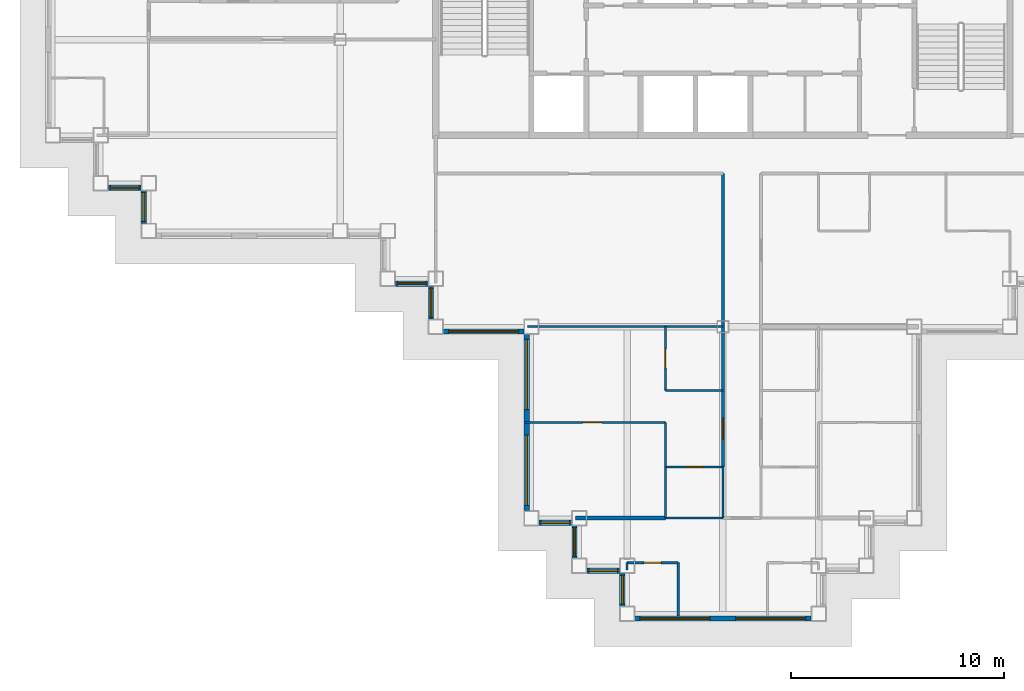
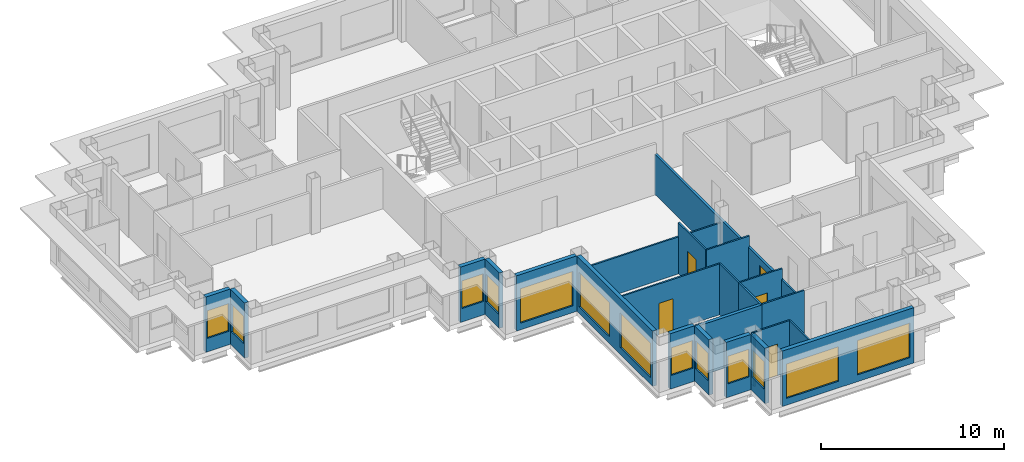
# One storey, part 2 of 12: 25 walls, 13 windows, 5 doors, 18 openings.
"""IFC4 building model written with IfcOpenShell, lengths in metres."""

from ifc_helpers import new_model, si_unit, direction, frame, frame_2d, origin, place, context, subcontext, project, spatial, rectangle, extrude, material, layer, layer_set, type_object, element, fill, save


model = new_model("IFC4")

# Units and contexts
model_context = context("Model", 3, precision=1e-05, world=origin(), true_north=direction((0.0, 1.0)))
body_context = subcontext(model_context, "Body", "Model", "MODEL_VIEW")
ifc_project = project(units=[si_unit("LENGTHUNIT", "METRE"), si_unit("AREAUNIT", "SQUARE_METRE"), si_unit("VOLUMEUNIT", "CUBIC_METRE"), si_unit("PLANEANGLEUNIT", "RADIAN"), si_unit("MASSUNIT", "GRAM", prefix="KILO")], contexts=[model_context])

# Site, building, storey
site_placement = place(None, origin())
site = spatial("IfcSite", under=ifc_project, at=site_placement, CompositionType="ELEMENT")
building_placement = place(site_placement, origin())
building = spatial("IfcBuilding", under=site, at=building_placement, Name="Caravel Reach Hotel and Residences", CompositionType="ELEMENT")
storey_placement = place(building_placement, frame((0.0, 0.0, 196.10009765625)))
storey = spatial("IfcBuildingStorey", under=building, at=storey_placement, Name="L49", CompositionType="ELEMENT", Elevation=196.10009765625)

# Wall, opening, door
ifc_material_1 = material(Name="Gypsum board on steel stud", Category="steel")
ifc_layer_1 = layer(ifc_material_1, 0.10009765625)
ifc_layer_set_1 = layer_set([ifc_layer_1], Name="Bathroom pod wall 100 mm")
wall_type_1 = type_object("IfcWallType", Name="Bathroom pod wall 100 mm", PredefinedType="PARTITIONING", material=ifc_layer_set_1)
wall_1_placement = place(storey_placement, frame((27.0, 2.39990234375, 0.0), z_axis=(0.0, 0.0, 1.0), x_axis=(1.0, 0.0, 0.0)))
wall_1 = element("IfcWall", 1, at=wall_1_placement, inside=storey, type_object=wall_type_1, Name="L49 wall w078", PredefinedType="PARTITIONING", context=body_context, shape_type="SweptSolid", body=[
    extrude(rectangle(XDim=2.39990234375, YDim=0.10009765625, at=frame_2d((1.199951171875, 0.0))), origin(), (0.0, 0.0, 1.0), 3.39990234375),
])
opening_1_placement = place(wall_1_placement, frame((0.800048828125, 0.0, 0.0)))
opening_1 = element("IfcOpeningElement", 2, at=opening_1_placement, cuts=wall_1, Name="Opening D49-050", PredefinedType="OPENING", context=body_context, shape_type="SweptSolid", body=[
    extrude(rectangle(XDim=0.800048828125, YDim=2.10009765625, at=frame_2d((0.39990234375, 1.050048828125))), frame((0.0, 0.06005859375, 0.0), z_axis=(0.0, -1.0, 0.0), x_axis=(1.0, 0.0, 0.0)), (0.0, 0.0, 1.0), 0.1201171875),
])
ifc_material_2 = material(Name="Timber and steel door leaf", Category="steel")
door_type_1 = type_object("IfcDoorType", Name="Bathroom door 800 x 2100", OperationType="SINGLE_SWING_LEFT", PredefinedType="DOOR", material=ifc_material_2)
door_1_placement = place(opening_1_placement, origin())
door_1 = element("IfcDoor", 3, at=door_1_placement, inside=storey, type_object=door_type_1, Name="door D49-050", OperationType="SINGLE_SWING_LEFT", OverallHeight=2.10009765625, OverallWidth=0.800048828125, PredefinedType="DOOR", context=body_context, shape_type="SweptSolid", body=[
    extrude(rectangle(XDim=0.800048828125, YDim=2.10009765625, at=frame_2d((0.39990234375, 1.050048828125))), frame((0.0, 0.02490234375, 0.0), z_axis=(0.0, -1.0, 0.0), x_axis=(1.0, 0.0, 0.0)), (0.0, 0.0, 1.0), 0.050048828125),
])
fill(opening_1, door_1)

# Wall
wall_2_placement = place(storey_placement, frame((28.800048828125, 4.5, 0.0), z_axis=(0.0, 0.0, 1.0), x_axis=(1.0, 0.0, 0.0)))
element("IfcWall", 4, at=wall_2_placement, inside=storey, type_object=wall_type_1, Name="L49 wall w089", PredefinedType="PARTITIONING", context=body_context, shape_type="SweptSolid", body=[
    extrude(rectangle(XDim=2.699951171875, YDim=0.10009765625, at=frame_2d((1.35009765625, 0.0))), origin(), (0.0, 0.0, 1.0), 3.39990234375),
])

# Wall, opening, door
wall_3_placement = place(storey_placement, frame((28.800048828125, 6.89990234375, 0.0), z_axis=(0.0, 0.0, 1.0), x_axis=(1.0, 0.0, 0.0)))
wall_3 = element("IfcWall", 5, at=wall_3_placement, inside=storey, type_object=wall_type_1, Name="L49 wall w091", PredefinedType="PARTITIONING", context=body_context, shape_type="SweptSolid", body=[
    extrude(rectangle(XDim=2.699951171875, YDim=0.10009765625, at=frame_2d((1.35009765625, 0.0))), origin(), (0.0, 0.0, 1.0), 3.39990234375),
])
opening_2_placement = place(wall_3_placement, frame((0.949951171875, 0.0, 0.0)))
opening_2 = element("IfcOpeningElement", 6, at=opening_2_placement, cuts=wall_3, Name="Opening D49-036", PredefinedType="OPENING", context=body_context, shape_type="SweptSolid", body=[
    extrude(rectangle(XDim=0.800048828125, YDim=2.10009765625, at=frame_2d((0.39990234375, 1.050048828125))), frame((0.0, 0.06005859375, 0.0), z_axis=(0.0, -1.0, 0.0), x_axis=(1.0, 0.0, 0.0)), (0.0, 0.0, 1.0), 0.1201171875),
])
door_2_placement = place(opening_2_placement, origin())
door_2 = element("IfcDoor", 7, at=door_2_placement, inside=storey, type_object=door_type_1, Name="door D49-036", OperationType="SINGLE_SWING_RIGHT", OverallHeight=2.10009765625, OverallWidth=0.800048828125, PredefinedType="DOOR", context=body_context, shape_type="SweptSolid", body=[
    extrude(rectangle(XDim=0.800048828125, YDim=2.10009765625, at=frame_2d((0.39990234375, 1.050048828125))), frame((0.0, 0.02490234375, 0.0), z_axis=(0.0, -1.0, 0.0), x_axis=(1.0, 0.0, 0.0)), (0.0, 0.0, 1.0), 0.050048828125),
])
fill(opening_2, door_2)

# Walls
wall_4_placement = place(storey_placement, frame((27.0, 2.06005859375, 0.0), z_axis=(0.0, 0.0, 1.0), x_axis=(0.0, 1.0, 0.0)))
element("IfcWall", 8, at=wall_4_placement, inside=storey, type_object=wall_type_1, Name="L49 wall w093", PredefinedType="PARTITIONING", context=body_context, shape_type="SweptSolid", body=[
    extrude(rectangle(XDim=0.33984375, YDim=0.10009765625, at=frame_2d((0.169921875, 0.0))), origin(), (0.0, 0.0, 1.0), 3.39990234375),
])
wall_5_placement = place(storey_placement, frame((28.800048828125, 4.5, 0.0), z_axis=(0.0, 0.0, 1.0), x_axis=(0.0, 1.0, 0.0)))
element("IfcWall", 9, at=wall_5_placement, inside=storey, type_object=wall_type_1, Name="L49 wall w094", PredefinedType="PARTITIONING", context=body_context, shape_type="SweptSolid", body=[
    extrude(rectangle(XDim=2.39990234375, YDim=0.10009765625, at=frame_2d((1.199951171875, 0.0))), origin(), (0.0, 0.0, 1.0), 3.39990234375),
])
wall_6_placement = place(storey_placement, frame((29.39990234375, -0.10009765625, 0.0), z_axis=(0.0, 0.0, 1.0), x_axis=(0.0, 1.0, 0.0)))
element("IfcWall", 10, at=wall_6_placement, inside=storey, type_object=wall_type_1, Name="L49 wall w095", PredefinedType="PARTITIONING", context=body_context, shape_type="SweptSolid", body=[
    extrude(rectangle(XDim=2.5, YDim=0.10009765625, at=frame_2d((1.25, 0.0))), origin(), (0.0, 0.0, 1.0), 3.39990234375),
])
wall_7_placement = place(storey_placement, frame((31.5, 4.5, 0.0), z_axis=(0.0, 0.0, 1.0), x_axis=(0.0, 1.0, 0.0)))
element("IfcWall", 11, at=wall_7_placement, inside=storey, type_object=wall_type_1, Name="L49 wall w096", PredefinedType="PARTITIONING", context=body_context, shape_type="SweptSolid", body=[
    extrude(rectangle(XDim=2.39990234375, YDim=0.10009765625, at=frame_2d((1.199951171875, 0.0))), origin(), (0.0, 0.0, 1.0), 2.679931640625),
])

# Wall, opening, door
ifc_material_3 = material(Name="Gypsum board on steel stud, fire-rated", Category="steel")
ifc_layer_2 = layer(ifc_material_3, 0.14990234375)
ifc_layer_set_2 = layer_set([ifc_layer_2], Name="Corridor wall 150 mm EI 60")
wall_type_2 = type_object("IfcWallType", Name="Corridor wall 150 mm EI 60", PredefinedType="PARTITIONING", material=ifc_layer_set_2)
wall_8_placement = place(storey_placement, frame((31.5, 6.89990234375, 0.0), z_axis=(0.0, 0.0, 1.0), x_axis=(0.0, 1.0, 0.0)))
wall_8 = element("IfcWall", 12, at=wall_8_placement, inside=storey, type_object=wall_type_2, Name="L49 wall w020", PredefinedType="PARTITIONING", context=body_context, shape_type="SweptSolid", body=[
    extrude(rectangle(XDim=13.800048828125, YDim=0.14990234375, at=frame_2d((6.89990234375, 0.0))), origin(), (0.0, 0.0, 1.0), 2.679931640625),
])
opening_3_placement = place(wall_8_placement, frame((1.300048828125, 0.0, 0.0)))
opening_3 = element("IfcOpeningElement", 13, at=opening_3_placement, cuts=wall_8, Name="Opening D49-035", PredefinedType="OPENING", context=body_context, shape_type="SweptSolid", body=[
    extrude(rectangle(XDim=1.0, YDim=2.199951171875, at=frame_2d((0.5, 1.10009765625))), frame((0.0, 0.0849609375, 0.0), z_axis=(0.0, -1.0, 0.0), x_axis=(1.0, 0.0, 0.0)), (0.0, 0.0, 1.0), 0.169921875),
])
ifc_material_4 = material(Name="Steel fire door leaf", Category="steel")
door_type_2 = type_object("IfcDoorType", Name="Flat entrance door 1000 x 2200 EI 60", OperationType="SINGLE_SWING_LEFT", PredefinedType="DOOR", material=ifc_material_4)
door_3_placement = place(opening_3_placement, origin())
door_3 = element("IfcDoor", 14, at=door_3_placement, inside=storey, type_object=door_type_2, Name="door D49-035", OperationType="SINGLE_SWING_RIGHT", OverallHeight=2.199951171875, OverallWidth=1.0, PredefinedType="DOOR", context=body_context, shape_type="SweptSolid", body=[
    extrude(rectangle(XDim=1.0, YDim=2.199951171875, at=frame_2d((0.5, 1.10009765625))), frame((0.0, 0.02490234375, 0.0), z_axis=(0.0, -1.0, 0.0), x_axis=(1.0, 0.0, 0.0)), (0.0, 0.0, 1.0), 0.050048828125),
])
fill(opening_3, door_3)

# Wall, opening, window
ifc_material_5 = material(Name="Insulated rainscreen wall, aluminium cladding", Category="aluminium")
ifc_layer_3 = layer(ifc_material_5, 0.25)
ifc_layer_set_3 = layer_set([ifc_layer_3], Name="EW1 Tower rainscreen wall")
wall_type_3 = type_object("IfcWallType", Name="EW1 Tower rainscreen wall", PredefinedType="SOLIDWALL", material=ifc_layer_set_3)
wall_9_placement = place(storey_placement, frame((2.60009765625, 20.02490234375, 0.0), z_axis=(0.0, 0.0, 1.0), x_axis=(1.0, 0.0, 0.0)))
wall_9 = element("IfcWall", 15, at=wall_9_placement, inside=storey, type_object=wall_type_3, Name="External wall L49 S23.1", PredefinedType="SOLIDWALL", context=body_context, shape_type="SweptSolid", body=[
    extrude(rectangle(XDim=1.5498046875, YDim=0.25, at=frame_2d((0.77490234375, 0.0))), origin(), (0.0, 0.0, 1.0), 3.699951171875),
])
opening_4_placement = place(wall_9_placement, frame((0.10009765625, 0.0, 0.89990234375)))
opening_4 = element("IfcOpeningElement", 16, at=opening_4_placement, cuts=wall_9, Name="Opening WN21", PredefinedType="OPENING", context=body_context, shape_type="SweptSolid", body=[
    extrude(rectangle(XDim=1.35009765625, YDim=1.85009765625, at=frame_2d((0.675048828125, 0.925048828125))), frame((0.0, 0.135009765625, 0.0), z_axis=(0.0, -1.0, 0.0), x_axis=(1.0, 0.0, 0.0)), (0.0, 0.0, 1.0), 0.27001953125),
])
ifc_material_6 = material(Name="Dark low-e glazing in black aluminium frame", Category="aluminium")
window_type_1 = type_object("IfcWindowType", Name="Residence bedroom window 1350 x 1850", PartitioningType="SINGLE_PANEL", PredefinedType="WINDOW", material=ifc_material_6)
window_1_placement = place(opening_4_placement, origin())
window_1 = element("IfcWindow", 17, at=window_1_placement, inside=storey, type_object=window_type_1, Name="Window L49 S23.1.1", OverallHeight=1.85009765625, OverallWidth=1.35009765625, PartitioningType="SINGLE_PANEL", PredefinedType="WINDOW", context=body_context, shape_type="SweptSolid", body=[
    extrude(rectangle(XDim=1.35009765625, YDim=1.85009765625, at=frame_2d((0.675048828125, 0.925048828125))), frame((0.0, 0.030029296875, 0.0), z_axis=(0.0, -1.0, 0.0), x_axis=(1.0, 0.0, 0.0)), (0.0, 0.0, 1.0), 0.06005859375),
])
fill(opening_4, window_1)

wall_10_placement = place(storey_placement, frame((4.27490234375, 19.89990234375, 0.0), z_axis=(0.0, 0.0, 1.0), x_axis=(0.0, -1.0, 0.0)))
wall_10 = element("IfcWall", 18, at=wall_10_placement, inside=storey, type_object=wall_type_3, Name="External wall L49 W24.1", PredefinedType="SOLIDWALL", context=body_context, shape_type="SweptSolid", body=[
    extrude(rectangle(XDim=1.5498046875, YDim=0.25, at=frame_2d((0.77490234375, 0.0))), origin(), (0.0, 0.0, 1.0), 3.699951171875),
])
opening_5_placement = place(wall_10_placement, frame((0.10009765625, 0.0, 0.89990234375)))
opening_5 = element("IfcOpeningElement", 19, at=opening_5_placement, cuts=wall_10, Name="Opening WN21", PredefinedType="OPENING", context=body_context, shape_type="SweptSolid", body=[
    extrude(rectangle(XDim=1.35009765625, YDim=1.85009765625, at=frame_2d((0.675048828125, 0.925048828125))), frame((0.0, 0.135009765625, 0.0), z_axis=(0.0, -1.0, 0.0), x_axis=(1.0, 0.0, 0.0)), (0.0, 0.0, 1.0), 0.27001953125),
])
window_2_placement = place(opening_5_placement, origin())
window_2 = element("IfcWindow", 20, at=window_2_placement, inside=storey, type_object=window_type_1, Name="Window L49 W24.1.1", OverallHeight=1.85009765625, OverallWidth=1.35009765625, PartitioningType="SINGLE_PANEL", PredefinedType="WINDOW", context=body_context, shape_type="SweptSolid", body=[
    extrude(rectangle(XDim=1.35009765625, YDim=1.85009765625, at=frame_2d((0.675048828125, 0.925048828125))), frame((0.0, 0.030029296875, 0.0), z_axis=(0.0, -1.0, 0.0), x_axis=(1.0, 0.0, 0.0)), (0.0, 0.0, 1.0), 0.06005859375),
])
fill(opening_5, window_2)

wall_11_placement = place(storey_placement, frame((16.10009765625, 15.52490234375, 0.0), z_axis=(0.0, 0.0, 1.0), x_axis=(1.0, 0.0, 0.0)))
wall_11 = element("IfcWall", 21, at=wall_11_placement, inside=storey, type_object=wall_type_3, Name="External wall L49 S27.1", PredefinedType="SOLIDWALL", context=body_context, shape_type="SweptSolid", body=[
    extrude(rectangle(XDim=1.5498046875, YDim=0.25, at=frame_2d((0.77490234375, 0.0))), origin(), (0.0, 0.0, 1.0), 3.699951171875),
])
opening_6_placement = place(wall_11_placement, frame((0.10009765625, 0.0, 0.89990234375)))
opening_6 = element("IfcOpeningElement", 22, at=opening_6_placement, cuts=wall_11, Name="Opening WN21", PredefinedType="OPENING", context=body_context, shape_type="SweptSolid", body=[
    extrude(rectangle(XDim=1.35009765625, YDim=1.85009765625, at=frame_2d((0.675048828125, 0.925048828125))), frame((0.0, 0.135009765625, 0.0), z_axis=(0.0, -1.0, 0.0), x_axis=(1.0, 0.0, 0.0)), (0.0, 0.0, 1.0), 0.27001953125),
])
window_3_placement = place(opening_6_placement, origin())
window_3 = element("IfcWindow", 23, at=window_3_placement, inside=storey, type_object=window_type_1, Name="Window L49 S27.1.1", OverallHeight=1.85009765625, OverallWidth=1.35009765625, PartitioningType="SINGLE_PANEL", PredefinedType="WINDOW", context=body_context, shape_type="SweptSolid", body=[
    extrude(rectangle(XDim=1.35009765625, YDim=1.85009765625, at=frame_2d((0.675048828125, 0.925048828125))), frame((0.0, 0.030029296875, 0.0), z_axis=(0.0, -1.0, 0.0), x_axis=(1.0, 0.0, 0.0)), (0.0, 0.0, 1.0), 0.06005859375),
])
fill(opening_6, window_3)

wall_12_placement = place(storey_placement, frame((17.77490234375, 15.39990234375, 0.0), z_axis=(0.0, 0.0, 1.0), x_axis=(0.0, -1.0, 0.0)))
wall_12 = element("IfcWall", 24, at=wall_12_placement, inside=storey, type_object=wall_type_3, Name="External wall L49 W28.1", PredefinedType="SOLIDWALL", context=body_context, shape_type="SweptSolid", body=[
    extrude(rectangle(XDim=1.5498046875, YDim=0.25, at=frame_2d((0.77490234375, 0.0))), origin(), (0.0, 0.0, 1.0), 3.699951171875),
])
opening_7_placement = place(wall_12_placement, frame((0.10009765625, 0.0, 0.89990234375)))
opening_7 = element("IfcOpeningElement", 25, at=opening_7_placement, cuts=wall_12, Name="Opening WN21", PredefinedType="OPENING", context=body_context, shape_type="SweptSolid", body=[
    extrude(rectangle(XDim=1.35009765625, YDim=1.85009765625, at=frame_2d((0.675048828125, 0.925048828125))), frame((0.0, 0.135009765625, 0.0), z_axis=(0.0, -1.0, 0.0), x_axis=(1.0, 0.0, 0.0)), (0.0, 0.0, 1.0), 0.27001953125),
])
window_4_placement = place(opening_7_placement, origin())
window_4 = element("IfcWindow", 26, at=window_4_placement, inside=storey, type_object=window_type_1, Name="Window L49 W28.1.1", OverallHeight=1.85009765625, OverallWidth=1.35009765625, PartitioningType="SINGLE_PANEL", PredefinedType="WINDOW", context=body_context, shape_type="SweptSolid", body=[
    extrude(rectangle(XDim=1.35009765625, YDim=1.85009765625, at=frame_2d((0.675048828125, 0.925048828125))), frame((0.0, 0.030029296875, 0.0), z_axis=(0.0, -1.0, 0.0), x_axis=(1.0, 0.0, 0.0)), (0.0, 0.0, 1.0), 0.06005859375),
])
fill(opening_7, window_4)

wall_13_placement = place(storey_placement, frame((18.35009765625, 13.27490234375, 0.0), z_axis=(0.0, 0.0, 1.0), x_axis=(1.0, 0.0, 0.0)))
wall_13 = element("IfcWall", 27, at=wall_13_placement, inside=storey, type_object=wall_type_3, Name="External wall L49 S29.1", PredefinedType="SOLIDWALL", context=body_context, shape_type="SweptSolid", body=[
    extrude(rectangle(XDim=3.7998046875, YDim=0.25, at=frame_2d((1.89990234375, 0.0))), origin(), (0.0, 0.0, 1.0), 3.699951171875),
])
opening_8_placement = place(wall_13_placement, frame((0.25, 0.0, 0.449951171875)))
opening_8 = element("IfcOpeningElement", 28, at=opening_8_placement, cuts=wall_13, Name="Opening WN15", PredefinedType="OPENING", context=body_context, shape_type="SweptSolid", body=[
    extrude(rectangle(XDim=3.300048828125, YDim=2.300048828125, at=frame_2d((1.64990234375, 1.14990234375))), frame((0.0, 0.135009765625, 0.0), z_axis=(0.0, -1.0, 0.0), x_axis=(1.0, 0.0, 0.0)), (0.0, 0.0, 1.0), 0.27001953125),
])
ifc_material_7 = material(Name="Dark low-e glazing in black aluminium frame", Category="aluminium")
window_type_2 = type_object("IfcWindowType", Name="Residence living window 3300 x 2300", PartitioningType="SINGLE_PANEL", PredefinedType="WINDOW", material=ifc_material_7)
window_5_placement = place(opening_8_placement, origin())
window_5 = element("IfcWindow", 29, at=window_5_placement, inside=storey, type_object=window_type_2, Name="Window L49 S29.1.1", OverallHeight=2.300048828125, OverallWidth=3.300048828125, PartitioningType="SINGLE_PANEL", PredefinedType="WINDOW", context=body_context, shape_type="SweptSolid", body=[
    extrude(rectangle(XDim=3.300048828125, YDim=2.300048828125, at=frame_2d((1.64990234375, 1.14990234375))), frame((0.0, 0.030029296875, 0.0), z_axis=(0.0, -1.0, 0.0), x_axis=(1.0, 0.0, 0.0)), (0.0, 0.0, 1.0), 0.06005859375),
])
fill(opening_8, window_5)

# Wall, openings, windows
wall_14_placement = place(storey_placement, frame((22.27490234375, 13.14990234375, 0.0), z_axis=(0.0, 0.0, 1.0), x_axis=(0.0, -1.0, 0.0)))
wall_14 = element("IfcWall", 30, at=wall_14_placement, inside=storey, type_object=wall_type_3, Name="External wall L49 W30.1", PredefinedType="SOLIDWALL", context=body_context, shape_type="SweptSolid", body=[
    extrude(rectangle(XDim=8.2998046875, YDim=0.25, at=frame_2d((4.14990234375, 0.0))), origin(), (0.0, 0.0, 1.0), 3.699951171875),
])
opening_9_placement = place(wall_14_placement, frame((0.25, 0.0, 0.449951171875)))
opening_9 = element("IfcOpeningElement", 31, at=opening_9_placement, cuts=wall_14, Name="Opening WN15", PredefinedType="OPENING", context=body_context, shape_type="SweptSolid", body=[
    extrude(rectangle(XDim=3.300048828125, YDim=2.300048828125, at=frame_2d((1.64990234375, 1.14990234375))), frame((0.0, 0.135009765625, 0.0), z_axis=(0.0, -1.0, 0.0), x_axis=(1.0, 0.0, 0.0)), (0.0, 0.0, 1.0), 0.27001953125),
])
opening_10_placement = place(wall_14_placement, frame((4.75, 0.0, 0.449951171875)))
opening_10 = element("IfcOpeningElement", 32, at=opening_10_placement, cuts=wall_14, Name="Opening WN15", PredefinedType="OPENING", context=body_context, shape_type="SweptSolid", body=[
    extrude(rectangle(XDim=3.300048828125, YDim=2.300048828125, at=frame_2d((1.64990234375, 1.14990234375))), frame((0.0, 0.135009765625, 0.0), z_axis=(0.0, -1.0, 0.0), x_axis=(1.0, 0.0, 0.0)), (0.0, 0.0, 1.0), 0.27001953125),
])
window_6_placement = place(opening_9_placement, origin())
window_6 = element("IfcWindow", 33, at=window_6_placement, inside=storey, type_object=window_type_2, Name="Window L49 W30.1.1", OverallHeight=2.300048828125, OverallWidth=3.300048828125, PartitioningType="SINGLE_PANEL", PredefinedType="WINDOW", context=body_context, shape_type="SweptSolid", body=[
    extrude(rectangle(XDim=3.300048828125, YDim=2.300048828125, at=frame_2d((1.64990234375, 1.14990234375))), frame((0.0, 0.030029296875, 0.0), z_axis=(0.0, -1.0, 0.0), x_axis=(1.0, 0.0, 0.0)), (0.0, 0.0, 1.0), 0.06005859375),
])
fill(opening_9, window_6)
window_7_placement = place(opening_10_placement, origin())
window_7 = element("IfcWindow", 34, at=window_7_placement, inside=storey, type_object=window_type_2, Name="Window L49 W30.1.2", OverallHeight=2.300048828125, OverallWidth=3.300048828125, PartitioningType="SINGLE_PANEL", PredefinedType="WINDOW", context=body_context, shape_type="SweptSolid", body=[
    extrude(rectangle(XDim=3.300048828125, YDim=2.300048828125, at=frame_2d((1.64990234375, 1.14990234375))), frame((0.0, 0.030029296875, 0.0), z_axis=(0.0, -1.0, 0.0), x_axis=(1.0, 0.0, 0.0)), (0.0, 0.0, 1.0), 0.06005859375),
])
fill(opening_10, window_7)

# Wall, opening, window
wall_15_placement = place(storey_placement, frame((22.85009765625, 4.27490234375, 0.0), z_axis=(0.0, 0.0, 1.0), x_axis=(1.0, 0.0, 0.0)))
wall_15 = element("IfcWall", 35, at=wall_15_placement, inside=storey, type_object=wall_type_3, Name="External wall L49 S31.1", PredefinedType="SOLIDWALL", context=body_context, shape_type="SweptSolid", body=[
    extrude(rectangle(XDim=1.5498046875, YDim=0.25, at=frame_2d((0.77490234375, 0.0))), origin(), (0.0, 0.0, 1.0), 3.699951171875),
])
opening_11_placement = place(wall_15_placement, frame((0.10009765625, 0.0, 0.89990234375)))
opening_11 = element("IfcOpeningElement", 36, at=opening_11_placement, cuts=wall_15, Name="Opening WN21", PredefinedType="OPENING", context=body_context, shape_type="SweptSolid", body=[
    extrude(rectangle(XDim=1.35009765625, YDim=1.85009765625, at=frame_2d((0.675048828125, 0.925048828125))), frame((0.0, 0.135009765625, 0.0), z_axis=(0.0, -1.0, 0.0), x_axis=(1.0, 0.0, 0.0)), (0.0, 0.0, 1.0), 0.27001953125),
])
window_8_placement = place(opening_11_placement, origin())
window_8 = element("IfcWindow", 37, at=window_8_placement, inside=storey, type_object=window_type_1, Name="Window L49 S31.1.1", OverallHeight=1.85009765625, OverallWidth=1.35009765625, PartitioningType="SINGLE_PANEL", PredefinedType="WINDOW", context=body_context, shape_type="SweptSolid", body=[
    extrude(rectangle(XDim=1.35009765625, YDim=1.85009765625, at=frame_2d((0.675048828125, 0.925048828125))), frame((0.0, 0.030029296875, 0.0), z_axis=(0.0, -1.0, 0.0), x_axis=(1.0, 0.0, 0.0)), (0.0, 0.0, 1.0), 0.06005859375),
])
fill(opening_11, window_8)

wall_16_placement = place(storey_placement, frame((24.52490234375, 4.14990234375, 0.0), z_axis=(0.0, 0.0, 1.0), x_axis=(0.0, -1.0, 0.0)))
wall_16 = element("IfcWall", 38, at=wall_16_placement, inside=storey, type_object=wall_type_3, Name="External wall L49 W32.1", PredefinedType="SOLIDWALL", context=body_context, shape_type="SweptSolid", body=[
    extrude(rectangle(XDim=1.5498046875, YDim=0.25, at=frame_2d((0.77490234375, 0.0))), origin(), (0.0, 0.0, 1.0), 3.699951171875),
])
opening_12_placement = place(wall_16_placement, frame((0.10009765625, 0.0, 0.89990234375)))
opening_12 = element("IfcOpeningElement", 39, at=opening_12_placement, cuts=wall_16, Name="Opening WN21", PredefinedType="OPENING", context=body_context, shape_type="SweptSolid", body=[
    extrude(rectangle(XDim=1.35009765625, YDim=1.85009765625, at=frame_2d((0.675048828125, 0.925048828125))), frame((0.0, 0.135009765625, 0.0), z_axis=(0.0, -1.0, 0.0), x_axis=(1.0, 0.0, 0.0)), (0.0, 0.0, 1.0), 0.27001953125),
])
window_9_placement = place(opening_12_placement, origin())
window_9 = element("IfcWindow", 40, at=window_9_placement, inside=storey, type_object=window_type_1, Name="Window L49 W32.1.1", OverallHeight=1.85009765625, OverallWidth=1.35009765625, PartitioningType="SINGLE_PANEL", PredefinedType="WINDOW", context=body_context, shape_type="SweptSolid", body=[
    extrude(rectangle(XDim=1.35009765625, YDim=1.85009765625, at=frame_2d((0.675048828125, 0.925048828125))), frame((0.0, 0.030029296875, 0.0), z_axis=(0.0, -1.0, 0.0), x_axis=(1.0, 0.0, 0.0)), (0.0, 0.0, 1.0), 0.06005859375),
])
fill(opening_12, window_9)

wall_17_placement = place(storey_placement, frame((25.10009765625, 2.02490234375, 0.0), z_axis=(0.0, 0.0, 1.0), x_axis=(1.0, 0.0, 0.0)))
wall_17 = element("IfcWall", 41, at=wall_17_placement, inside=storey, type_object=wall_type_3, Name="External wall L49 S33.1", PredefinedType="SOLIDWALL", context=body_context, shape_type="SweptSolid", body=[
    extrude(rectangle(XDim=1.5498046875, YDim=0.25, at=frame_2d((0.77490234375, 0.0))), origin(), (0.0, 0.0, 1.0), 3.699951171875),
])
opening_13_placement = place(wall_17_placement, frame((0.10009765625, 0.0, 0.89990234375)))
opening_13 = element("IfcOpeningElement", 42, at=opening_13_placement, cuts=wall_17, Name="Opening WN21", PredefinedType="OPENING", context=body_context, shape_type="SweptSolid", body=[
    extrude(rectangle(XDim=1.35009765625, YDim=1.85009765625, at=frame_2d((0.675048828125, 0.925048828125))), frame((0.0, 0.135009765625, 0.0), z_axis=(0.0, -1.0, 0.0), x_axis=(1.0, 0.0, 0.0)), (0.0, 0.0, 1.0), 0.27001953125),
])
window_10_placement = place(opening_13_placement, origin())
window_10 = element("IfcWindow", 43, at=window_10_placement, inside=storey, type_object=window_type_1, Name="Window L49 S33.1.1", OverallHeight=1.85009765625, OverallWidth=1.35009765625, PartitioningType="SINGLE_PANEL", PredefinedType="WINDOW", context=body_context, shape_type="SweptSolid", body=[
    extrude(rectangle(XDim=1.35009765625, YDim=1.85009765625, at=frame_2d((0.675048828125, 0.925048828125))), frame((0.0, 0.030029296875, 0.0), z_axis=(0.0, -1.0, 0.0), x_axis=(1.0, 0.0, 0.0)), (0.0, 0.0, 1.0), 0.06005859375),
])
fill(opening_13, window_10)

wall_18_placement = place(storey_placement, frame((26.77490234375, 1.89990234375, 0.0), z_axis=(0.0, 0.0, 1.0), x_axis=(0.0, -1.0, 0.0)))
wall_18 = element("IfcWall", 44, at=wall_18_placement, inside=storey, type_object=wall_type_3, Name="External wall L49 W34.1", PredefinedType="SOLIDWALL", context=body_context, shape_type="SweptSolid", body=[
    extrude(rectangle(XDim=1.5498046875, YDim=0.25, at=frame_2d((0.77490234375, 0.0))), origin(), (0.0, 0.0, 1.0), 3.699951171875),
])
opening_14_placement = place(wall_18_placement, frame((0.10009765625, 0.0, 0.89990234375)))
opening_14 = element("IfcOpeningElement", 45, at=opening_14_placement, cuts=wall_18, Name="Opening WN21", PredefinedType="OPENING", context=body_context, shape_type="SweptSolid", body=[
    extrude(rectangle(XDim=1.35009765625, YDim=1.85009765625, at=frame_2d((0.675048828125, 0.925048828125))), frame((0.0, 0.135009765625, 0.0), z_axis=(0.0, -1.0, 0.0), x_axis=(1.0, 0.0, 0.0)), (0.0, 0.0, 1.0), 0.27001953125),
])
window_11_placement = place(opening_14_placement, origin())
window_11 = element("IfcWindow", 46, at=window_11_placement, inside=storey, type_object=window_type_1, Name="Window L49 W34.1.1", OverallHeight=1.85009765625, OverallWidth=1.35009765625, PartitioningType="SINGLE_PANEL", PredefinedType="WINDOW", context=body_context, shape_type="SweptSolid", body=[
    extrude(rectangle(XDim=1.35009765625, YDim=1.85009765625, at=frame_2d((0.675048828125, 0.925048828125))), frame((0.0, 0.030029296875, 0.0), z_axis=(0.0, -1.0, 0.0), x_axis=(1.0, 0.0, 0.0)), (0.0, 0.0, 1.0), 0.06005859375),
])
fill(opening_14, window_11)

# Wall, openings, windows
wall_19_placement = place(storey_placement, frame((27.35009765625, -0.22509765625, 0.0), z_axis=(0.0, 0.0, 1.0), x_axis=(1.0, 0.0, 0.0)))
wall_19 = element("IfcWall", 47, at=wall_19_placement, inside=storey, type_object=wall_type_3, Name="External wall L49 S35.1", PredefinedType="SOLIDWALL", context=body_context, shape_type="SweptSolid", body=[
    extrude(rectangle(XDim=8.2998046875, YDim=0.25, at=frame_2d((4.14990234375, 0.0))), origin(), (0.0, 0.0, 1.0), 3.699951171875),
])
opening_15_placement = place(wall_19_placement, frame((0.25, 0.0, 0.449951171875)))
opening_15 = element("IfcOpeningElement", 48, at=opening_15_placement, cuts=wall_19, Name="Opening WN15", PredefinedType="OPENING", context=body_context, shape_type="SweptSolid", body=[
    extrude(rectangle(XDim=3.300048828125, YDim=2.300048828125, at=frame_2d((1.64990234375, 1.14990234375))), frame((0.0, 0.135009765625, 0.0), z_axis=(0.0, -1.0, 0.0), x_axis=(1.0, 0.0, 0.0)), (0.0, 0.0, 1.0), 0.27001953125),
])
opening_16_placement = place(wall_19_placement, frame((4.75, 0.0, 0.449951171875)))
opening_16 = element("IfcOpeningElement", 49, at=opening_16_placement, cuts=wall_19, Name="Opening WN15", PredefinedType="OPENING", context=body_context, shape_type="SweptSolid", body=[
    extrude(rectangle(XDim=3.300048828125, YDim=2.300048828125, at=frame_2d((1.64990234375, 1.14990234375))), frame((0.0, 0.135009765625, 0.0), z_axis=(0.0, -1.0, 0.0), x_axis=(1.0, 0.0, 0.0)), (0.0, 0.0, 1.0), 0.27001953125),
])
window_12_placement = place(opening_15_placement, origin())
window_12 = element("IfcWindow", 50, at=window_12_placement, inside=storey, type_object=window_type_2, Name="Window L49 S35.1.1", OverallHeight=2.300048828125, OverallWidth=3.300048828125, PartitioningType="SINGLE_PANEL", PredefinedType="WINDOW", context=body_context, shape_type="SweptSolid", body=[
    extrude(rectangle(XDim=3.300048828125, YDim=2.300048828125, at=frame_2d((1.64990234375, 1.14990234375))), frame((0.0, 0.030029296875, 0.0), z_axis=(0.0, -1.0, 0.0), x_axis=(1.0, 0.0, 0.0)), (0.0, 0.0, 1.0), 0.06005859375),
])
fill(opening_15, window_12)
window_13_placement = place(opening_16_placement, origin())
window_13 = element("IfcWindow", 51, at=window_13_placement, inside=storey, type_object=window_type_2, Name="Window L49 S35.1.2", OverallHeight=2.300048828125, OverallWidth=3.300048828125, PartitioningType="SINGLE_PANEL", PredefinedType="WINDOW", context=body_context, shape_type="SweptSolid", body=[
    extrude(rectangle(XDim=3.300048828125, YDim=2.300048828125, at=frame_2d((1.64990234375, 1.14990234375))), frame((0.0, 0.030029296875, 0.0), z_axis=(0.0, -1.0, 0.0), x_axis=(1.0, 0.0, 0.0)), (0.0, 0.0, 1.0), 0.06005859375),
])
fill(opening_16, window_13)

# Walls
ifc_material_8 = material(Name="Gypsum board on steel stud", Category="steel")
ifc_layer_4 = layer(ifc_material_8, 0.10009765625)
ifc_layer_set_4 = layer_set([ifc_layer_4], Name="Partition 100 mm")
wall_type_4 = type_object("IfcWallType", Name="Partition 100 mm", PredefinedType="PARTITIONING", material=ifc_layer_set_4)
wall_20_placement = place(storey_placement, frame((28.800048828125, 10.5, 0.0), z_axis=(0.0, 0.0, 1.0), x_axis=(1.0, 0.0, 0.0)))
element("IfcWall", 52, at=wall_20_placement, inside=storey, type_object=wall_type_4, Name="L49 wall w029", PredefinedType="PARTITIONING", context=body_context, shape_type="SweptSolid", body=[
    extrude(rectangle(XDim=2.699951171875, YDim=0.10009765625, at=frame_2d((1.35009765625, 0.0))), origin(), (0.0, 0.0, 1.0), 3.39990234375),
])
wall_21_placement = place(storey_placement, frame((22.31005859375, 13.5, 0.0), z_axis=(0.0, 0.0, 1.0), x_axis=(1.0, 0.0, 0.0)))
element("IfcWall", 53, at=wall_21_placement, inside=storey, type_object=wall_type_4, Name="L49 wall w030", PredefinedType="PARTITIONING", context=body_context, shape_type="SweptSolid", body=[
    extrude(rectangle(XDim=9.18994140625, YDim=0.10009765625, at=frame_2d((4.594970703125, 0.0))), origin(), (0.0, 0.0, 1.0), 2.47998046875),
])

# Wall, opening, door
wall_22_placement = place(storey_placement, frame((22.2099609375, 9.0, 0.0), z_axis=(0.0, 0.0, 1.0), x_axis=(1.0, 0.0, 0.0)))
wall_22 = element("IfcWall", 54, at=wall_22_placement, inside=storey, type_object=wall_type_4, Name="L49 wall w046", PredefinedType="PARTITIONING", context=body_context, shape_type="SweptSolid", body=[
    extrude(rectangle(XDim=6.590087890625, YDim=0.10009765625, at=frame_2d((3.294921875, 0.0))), origin(), (0.0, 0.0, 1.0), 3.39990234375),
])
opening_17_placement = place(wall_22_placement, frame((2.699951171875, 0.0, 0.0)))
opening_17 = element("IfcOpeningElement", 55, at=opening_17_placement, cuts=wall_22, Name="Opening D49-038", PredefinedType="OPENING", context=body_context, shape_type="SweptSolid", body=[
    extrude(rectangle(XDim=0.89990234375, YDim=2.10009765625, at=frame_2d((0.449951171875, 1.050048828125))), frame((0.0, 0.06005859375, 0.0), z_axis=(0.0, -1.0, 0.0), x_axis=(1.0, 0.0, 0.0)), (0.0, 0.0, 1.0), 0.1201171875),
])
ifc_material_9 = material(Name="Timber and steel door leaf", Category="steel")
door_type_3 = type_object("IfcDoorType", Name="Door 900 x 2100 timber", OperationType="SINGLE_SWING_LEFT", PredefinedType="DOOR", material=ifc_material_9)
door_4_placement = place(opening_17_placement, origin())
door_4 = element("IfcDoor", 56, at=door_4_placement, inside=storey, type_object=door_type_3, Name="door D49-038", OperationType="SINGLE_SWING_RIGHT", OverallHeight=2.10009765625, OverallWidth=0.89990234375, PredefinedType="DOOR", context=body_context, shape_type="SweptSolid", body=[
    extrude(rectangle(XDim=0.89990234375, YDim=2.10009765625, at=frame_2d((0.449951171875, 1.050048828125))), frame((0.0, 0.02490234375, 0.0), z_axis=(0.0, -1.0, 0.0), x_axis=(1.0, 0.0, 0.0)), (0.0, 0.0, 1.0), 0.050048828125),
])
fill(opening_17, door_4)

# Wall
wall_23_placement = place(storey_placement, frame((28.800048828125, 6.89990234375, 0.0), z_axis=(0.0, 0.0, 1.0), x_axis=(0.0, 1.0, 0.0)))
element("IfcWall", 57, at=wall_23_placement, inside=storey, type_object=wall_type_4, Name="L49 wall w055", PredefinedType="PARTITIONING", context=body_context, shape_type="SweptSolid", body=[
    extrude(rectangle(XDim=2.10009765625, YDim=0.10009765625, at=frame_2d((1.050048828125, 0.0))), origin(), (0.0, 0.0, 1.0), 3.39990234375),
])

# Wall, opening, door
wall_24_placement = place(storey_placement, frame((28.800048828125, 10.5, 0.0), z_axis=(0.0, 0.0, 1.0), x_axis=(0.0, 1.0, 0.0)))
wall_24 = element("IfcWall", 58, at=wall_24_placement, inside=storey, type_object=wall_type_4, Name="L49 wall w056", PredefinedType="PARTITIONING", context=body_context, shape_type="SweptSolid", body=[
    extrude(rectangle(XDim=3.0, YDim=0.10009765625, at=frame_2d((1.5, 0.0))), origin(), (0.0, 0.0, 1.0), 3.39990234375),
])
opening_18_placement = place(wall_24_placement, frame((1.050048828125, 0.0, 0.0)))
opening_18 = element("IfcOpeningElement", 59, at=opening_18_placement, cuts=wall_24, Name="Opening D49-037", PredefinedType="OPENING", context=body_context, shape_type="SweptSolid", body=[
    extrude(rectangle(XDim=0.89990234375, YDim=2.10009765625, at=frame_2d((0.449951171875, 1.050048828125))), frame((0.0, 0.06005859375, 0.0), z_axis=(0.0, -1.0, 0.0), x_axis=(1.0, 0.0, 0.0)), (0.0, 0.0, 1.0), 0.1201171875),
])
door_5_placement = place(opening_18_placement, origin())
door_5 = element("IfcDoor", 60, at=door_5_placement, inside=storey, type_object=door_type_3, Name="door D49-037", OperationType="SINGLE_SWING_RIGHT", OverallHeight=2.10009765625, OverallWidth=0.89990234375, PredefinedType="DOOR", context=body_context, shape_type="SweptSolid", body=[
    extrude(rectangle(XDim=0.89990234375, YDim=2.10009765625, at=frame_2d((0.449951171875, 1.050048828125))), frame((0.0, 0.02490234375, 0.0), z_axis=(0.0, -1.0, 0.0), x_axis=(1.0, 0.0, 0.0)), (0.0, 0.0, 1.0), 0.050048828125),
])
fill(opening_18, door_5)

# Wall
ifc_material_10 = material(Name="Autoclaved aerated block wall")
ifc_layer_5 = layer(ifc_material_10, 0.199951171875)
ifc_layer_set_5 = layer_set([ifc_layer_5], Name="Party wall 200 mm EI 60")
wall_type_5 = type_object("IfcWallType", Name="Party wall 200 mm EI 60", PredefinedType="PARTITIONING", material=ifc_layer_set_5)
wall_25_placement = place(storey_placement, frame((24.56005859375, 4.5, 0.0), z_axis=(0.0, 0.0, 1.0), x_axis=(1.0, 0.0, 0.0)))
element("IfcWall", 61, at=wall_25_placement, inside=storey, type_object=wall_type_5, Name="L49 wall w073", PredefinedType="PARTITIONING", context=body_context, shape_type="SweptSolid", body=[
    extrude(rectangle(XDim=4.239990234375, YDim=0.199951171875, at=frame_2d((2.1201171875, 0.0))), origin(), (0.0, 0.0, 1.0), 3.39990234375),
])

save(model, "model.ifc")
